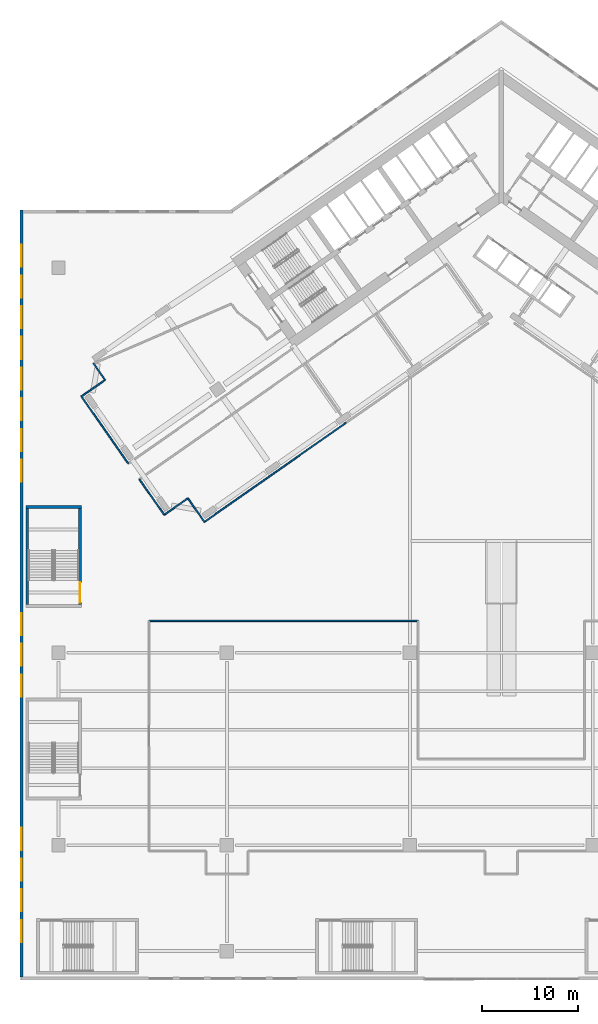
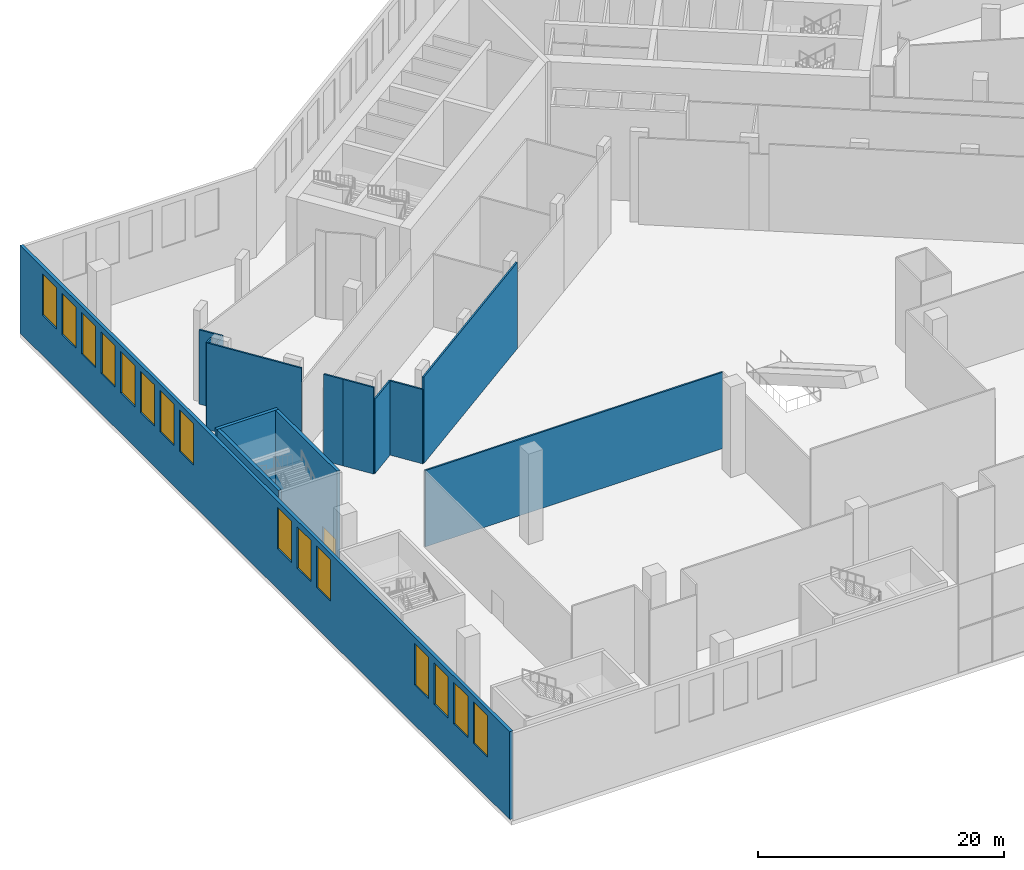
# One storey, part 6 of 27: 15 windows, 14 walls, 1 door, 16 openings.
"""IFC4 building model written with IfcOpenShell, lengths in metres."""

from ifc_helpers import new_model, si_unit, direction, frame, frame_2d, origin, place, context, subcontext, project, spatial, rectangle, extrude, material, layer, layer_set, type_object, element, fill, save


model = new_model("IFC4")

# Units and contexts
model_context = context("Model", 3, precision=1e-05, world=origin(), true_north=direction((0.0, 1.0)))
body_context = subcontext(model_context, "Body", "Model", "MODEL_VIEW")
ifc_project = project(units=[si_unit("LENGTHUNIT", "METRE"), si_unit("AREAUNIT", "SQUARE_METRE"), si_unit("VOLUMEUNIT", "CUBIC_METRE"), si_unit("PLANEANGLEUNIT", "RADIAN"), si_unit("MASSUNIT", "GRAM", prefix="KILO")], contexts=[model_context])

# Site, building, storey
site_placement = place(None, origin())
site = spatial("IfcSite", under=ifc_project, at=site_placement, CompositionType="ELEMENT")
building_placement = place(site_placement, origin())
building = spatial("IfcBuilding", under=site, at=building_placement, Name="Tel Ilan Convention Tower", CompositionType="ELEMENT")
storey_placement = place(building_placement, frame((0.0, 0.0, 9.0)))
storey = spatial("IfcBuildingStorey", under=building, at=storey_placement, Name="L01", CompositionType="ELEMENT", Elevation=9.0)

# Walls
ifc_material_1 = material(Name="Plasterboard on Steel Studs", Category="steel")
ifc_layer_1 = layer(ifc_material_1, 0.14990234375)
ifc_layer_set_1 = layer_set([ifc_layer_1], Name="Fire-rated Partition 150 EI 60")
wall_type_1 = type_object("IfcWallType", Name="Fire-rated Partition 150 EI 60", PredefinedType="PARTITIONING", material=ifc_layer_set_1)
wall_1_placement = place(storey_placement, frame((-8.65087890625, -44.698974609375, 0.0), z_axis=(0.0, 0.0, 1.0), x_axis=(-1.0, 0.0, 0.0)))
element("IfcWall", 1, at=wall_1_placement, inside=storey, type_object=wall_type_1, Name="Partition 029", PredefinedType="PARTITIONING", context=body_context, shape_type="SweptSolid", body=[
    extrude(rectangle(XDim=27.9482421875, YDim=0.14990234375, at=frame_2d((13.97412109375, 0.0))), origin(), (0.0, 0.0, 1.0), 7.580078125),
])
wall_2_placement = place(storey_placement, frame((-35.016845703125, -33.676025390625, 0.0), z_axis=(0.0, 0.0, 1.0), x_axis=(0.81917072002, 0.573549763719, 0.0)))
element("IfcWall", 2, at=wall_2_placement, inside=storey, type_object=wall_type_1, Name="Partition 036", PredefinedType="PARTITIONING", context=body_context, shape_type="SweptSolid", body=[
    extrude(rectangle(XDim=2.998779296875, YDim=0.14990234375, at=frame_2d((1.49951171875, 0.0))), origin(), (0.0, 0.0, 1.0), 7.3798828125),
])
wall_3_placement = place(storey_placement, frame((-32.560302734375, -31.9560546875, 0.0), z_axis=(0.0, 0.0, 1.0), x_axis=(0.573604390867, -0.819132469615, 0.0)))
element("IfcWall", 3, at=wall_3_placement, inside=storey, type_object=wall_type_1, Name="Partition 037", PredefinedType="PARTITIONING", context=body_context, shape_type="SweptSolid", body=[
    extrude(rectangle(XDim=2.9990234375, YDim=0.14990234375, at=frame_2d((1.49951171875, 0.0))), origin(), (0.0, 0.0, 1.0), 7.3798828125),
])
wall_4_placement = place(storey_placement, frame((-30.838623046875, -34.412841796875, 0.0), z_axis=(0.0, 0.0, 1.0), x_axis=(0.819149083218, 0.573580665175, 0.0)))
element("IfcWall", 4, at=wall_4_placement, inside=storey, type_object=wall_type_1, Name="Partition 038", PredefinedType="PARTITIONING", context=body_context, shape_type="SweptSolid", body=[
    extrude(rectangle(XDim=18.001708984375, YDim=0.14990234375, at=frame_2d((9.0009765625, 0.0))), origin(), (0.0, 0.0, 1.0), 8.60009765625),
])
wall_5_placement = place(storey_placement, frame((-36.59912109375, -31.41845703125, 0.0), z_axis=(0.0, 0.0, 1.0), x_axis=(0.57362881286, -0.819115367367, 0.0)))
element("IfcWall", 5, at=wall_5_placement, inside=storey, type_object=wall_type_1, Name="Partition 039", PredefinedType="PARTITIONING", context=body_context, shape_type="SweptSolid", body=[
    extrude(rectangle(XDim=2.755859375, YDim=0.14990234375, at=frame_2d((1.3779296875, 0.0))), origin(), (0.0, 0.0, 1.0), 8.60009765625),
])
wall_6_placement = place(storey_placement, frame((-42.359375, -17.96142578125, 0.0), z_axis=(0.0, 0.0, 1.0), x_axis=(0.573603984281, -0.819132754331, 0.0)))
element("IfcWall", 6, at=wall_6_placement, inside=storey, type_object=wall_type_1, Name="Partition 043", PredefinedType="PARTITIONING", context=body_context, shape_type="SweptSolid", body=[
    extrude(rectangle(XDim=2.082275390625, YDim=0.14990234375, at=frame_2d((1.041015625, 0.0))), origin(), (0.0, 0.0, 1.0), 7.3798828125),
])
wall_7_placement = place(storey_placement, frame((-41.1650390625, -19.6669921875, 0.0), z_axis=(0.0, 0.0, 1.0), x_axis=(-0.819149945048, -0.573579434366, 0.0)))
element("IfcWall", 7, at=wall_7_placement, inside=storey, type_object=wall_type_1, Name="Partition 044", PredefinedType="PARTITIONING", context=body_context, shape_type="SweptSolid", body=[
    extrude(rectangle(XDim=2.23876953125, YDim=0.14990234375, at=frame_2d((1.119384765625, 0.0))), origin(), (0.0, 0.0, 1.0), 7.3798828125),
])
wall_8_placement = place(storey_placement, frame((-43.621826171875, -21.38720703125, 0.0), z_axis=(0.0, 0.0, 1.0), x_axis=(0.573487395822, -0.819214383928, 0.0)))
element("IfcWall", 8, at=wall_8_placement, inside=storey, type_object=wall_type_1, Name="Partition 059", PredefinedType="PARTITIONING", context=body_context, shape_type="SweptSolid", body=[
    extrude(rectangle(XDim=8.502685546875, YDim=0.14990234375, at=frame_2d((4.25146484375, 0.0))), origin(), (0.0, 0.0, 1.0), 8.60009765625),
])
wall_9_placement = place(storey_placement, frame((-43.0, -20.951904296875, 0.0), z_axis=(0.0, 0.0, 1.0), x_axis=(-0.819216809636, -0.573483930734, 0.0)))
element("IfcWall", 9, at=wall_9_placement, inside=storey, type_object=wall_type_1, Name="Partition 060", PredefinedType="PARTITIONING", context=body_context, shape_type="SweptSolid", body=[
    extrude(rectangle(XDim=0.759033203125, YDim=0.14990234375, at=frame_2d((0.37939453125, 0.0))), origin(), (0.0, 0.0, 1.0), 8.60009765625),
])
wall_10_placement = place(storey_placement, frame((-37.600341796875, -29.98828125, 0.0), z_axis=(0.0, 0.0, 1.0), x_axis=(0.573518712821, -0.819192459709, 0.0)))
element("IfcWall", 10, at=wall_10_placement, inside=storey, type_object=wall_type_1, Name="Partition 061", PredefinedType="PARTITIONING", context=body_context, shape_type="SweptSolid", body=[
    extrude(rectangle(XDim=1.744140625, YDim=0.14990234375, at=frame_2d((0.8720703125, 0.0))), origin(), (0.0, 0.0, 1.0), 8.60009765625),
])

# Wall, openings, windows
ifc_material_2 = material(Name="Bronze aluminium cladding panel on insulated steel frame", Category="steel")
ifc_layer_2 = layer(ifc_material_2, 0.300048828125)
ifc_layer_set_2 = layer_set([ifc_layer_2], Name="PODIUM CLADDING WALL 300")
wall_type_2 = type_object("IfcWallType", Name="PODIUM CLADDING WALL 300", PredefinedType="SOLIDWALL", material=ifc_layer_set_2)
wall_11_placement = place(storey_placement, frame((-49.85009765625, -81.699951171875, 0.0), z_axis=(0.0, 0.0, 1.0), x_axis=(0.0, 1.0, 0.0)))
wall_11 = element("IfcWall", 11, at=wall_11_placement, inside=storey, type_object=wall_type_2, Name="Podium cladding wall", PredefinedType="SOLIDWALL", context=body_context, shape_type="SweptSolid", body=[
    extrude(rectangle(XDim=79.699951171875, YDim=0.300048828125, at=frame_2d((39.85009765625, 0.0))), origin(), (0.0, 0.0, 1.0), 8.719970703125),
])
opening_1_placement = place(wall_11_placement, frame((3.637939453125, 0.0, 4.0)))
opening_1 = element("IfcOpeningElement", 12, at=opening_1_placement, cuts=wall_11, Name="Opening W-04.011", PredefinedType="OPENING", context=body_context, shape_type="SweptSolid", body=[
    extrude(rectangle(XDim=2.2880859375, YDim=4.1201171875, at=frame_2d((1.14404296875, 2.06005859375))), frame((0.0, 0.159912109375, 0.0), z_axis=(0.0, -1.0, 0.0), x_axis=(1.0, 0.0, 0.0)), (0.0, 0.0, 1.0), 0.320068359375),
])
opening_2_placement = place(wall_11_placement, frame((6.825927734375, 0.0, 4.0)))
opening_2 = element("IfcOpeningElement", 13, at=opening_2_placement, cuts=wall_11, Name="Opening W-04.012", PredefinedType="OPENING", context=body_context, shape_type="SweptSolid", body=[
    extrude(rectangle(XDim=2.2880859375, YDim=4.1201171875, at=frame_2d((1.14404296875, 2.06005859375))), frame((0.0, 0.159912109375, 0.0), z_axis=(0.0, -1.0, 0.0), x_axis=(1.0, 0.0, 0.0)), (0.0, 0.0, 1.0), 0.320068359375),
])
opening_3_placement = place(wall_11_placement, frame((10.013916015625, 0.0, 4.0)))
opening_3 = element("IfcOpeningElement", 14, at=opening_3_placement, cuts=wall_11, Name="Opening W-04.013", PredefinedType="OPENING", context=body_context, shape_type="SweptSolid", body=[
    extrude(rectangle(XDim=2.2880859375, YDim=4.1201171875, at=frame_2d((1.14404296875, 2.06005859375))), frame((0.0, 0.159912109375, 0.0), z_axis=(0.0, -1.0, 0.0), x_axis=(1.0, 0.0, 0.0)), (0.0, 0.0, 1.0), 0.320068359375),
])
opening_4_placement = place(wall_11_placement, frame((13.201904296875, 0.0, 4.0)))
opening_4 = element("IfcOpeningElement", 15, at=opening_4_placement, cuts=wall_11, Name="Opening W-04.014", PredefinedType="OPENING", context=body_context, shape_type="SweptSolid", body=[
    extrude(rectangle(XDim=2.2880859375, YDim=4.1201171875, at=frame_2d((1.14404296875, 2.06005859375))), frame((0.0, 0.159912109375, 0.0), z_axis=(0.0, -1.0, 0.0), x_axis=(1.0, 0.0, 0.0)), (0.0, 0.0, 1.0), 0.320068359375),
])
opening_5_placement = place(wall_11_placement, frame((29.14208984375, 0.0, 4.0)))
opening_5 = element("IfcOpeningElement", 16, at=opening_5_placement, cuts=wall_11, Name="Opening W-04.015", PredefinedType="OPENING", context=body_context, shape_type="SweptSolid", body=[
    extrude(rectangle(XDim=2.2880859375, YDim=4.1201171875, at=frame_2d((1.14404296875, 2.06005859375))), frame((0.0, 0.159912109375, 0.0), z_axis=(0.0, -1.0, 0.0), x_axis=(1.0, 0.0, 0.0)), (0.0, 0.0, 1.0), 0.320068359375),
])
opening_6_placement = place(wall_11_placement, frame((32.330078125, 0.0, 4.0)))
opening_6 = element("IfcOpeningElement", 17, at=opening_6_placement, cuts=wall_11, Name="Opening W-04.016", PredefinedType="OPENING", context=body_context, shape_type="SweptSolid", body=[
    extrude(rectangle(XDim=2.2880859375, YDim=4.1201171875, at=frame_2d((1.14404296875, 2.06005859375))), frame((0.0, 0.159912109375, 0.0), z_axis=(0.0, -1.0, 0.0), x_axis=(1.0, 0.0, 0.0)), (0.0, 0.0, 1.0), 0.320068359375),
])
opening_7_placement = place(wall_11_placement, frame((35.51806640625, 0.0, 4.0)))
opening_7 = element("IfcOpeningElement", 18, at=opening_7_placement, cuts=wall_11, Name="Opening W-04.017", PredefinedType="OPENING", context=body_context, shape_type="SweptSolid", body=[
    extrude(rectangle(XDim=2.2880859375, YDim=4.1201171875, at=frame_2d((1.14404296875, 2.06005859375))), frame((0.0, 0.159912109375, 0.0), z_axis=(0.0, -1.0, 0.0), x_axis=(1.0, 0.0, 0.0)), (0.0, 0.0, 1.0), 0.320068359375),
])
opening_8_placement = place(wall_11_placement, frame((51.4580078125, 0.0, 4.0)))
opening_8 = element("IfcOpeningElement", 19, at=opening_8_placement, cuts=wall_11, Name="Opening W-04.018", PredefinedType="OPENING", context=body_context, shape_type="SweptSolid", body=[
    extrude(rectangle(XDim=2.2880859375, YDim=4.1201171875, at=frame_2d((1.14404296875, 2.06005859375))), frame((0.0, 0.159912109375, 0.0), z_axis=(0.0, -1.0, 0.0), x_axis=(1.0, 0.0, 0.0)), (0.0, 0.0, 1.0), 0.320068359375),
])
opening_9_placement = place(wall_11_placement, frame((54.64599609375, 0.0, 4.0)))
opening_9 = element("IfcOpeningElement", 20, at=opening_9_placement, cuts=wall_11, Name="Opening W-04.019", PredefinedType="OPENING", context=body_context, shape_type="SweptSolid", body=[
    extrude(rectangle(XDim=2.2880859375, YDim=4.1201171875, at=frame_2d((1.14404296875, 2.06005859375))), frame((0.0, 0.159912109375, 0.0), z_axis=(0.0, -1.0, 0.0), x_axis=(1.0, 0.0, 0.0)), (0.0, 0.0, 1.0), 0.320068359375),
])
opening_10_placement = place(wall_11_placement, frame((57.833984375, 0.0, 4.0)))
opening_10 = element("IfcOpeningElement", 21, at=opening_10_placement, cuts=wall_11, Name="Opening W-04.020", PredefinedType="OPENING", context=body_context, shape_type="SweptSolid", body=[
    extrude(rectangle(XDim=2.2880859375, YDim=4.1201171875, at=frame_2d((1.14404296875, 2.06005859375))), frame((0.0, 0.159912109375, 0.0), z_axis=(0.0, -1.0, 0.0), x_axis=(1.0, 0.0, 0.0)), (0.0, 0.0, 1.0), 0.320068359375),
])
opening_11_placement = place(wall_11_placement, frame((61.02197265625, 0.0, 4.0)))
opening_11 = element("IfcOpeningElement", 22, at=opening_11_placement, cuts=wall_11, Name="Opening W-04.021", PredefinedType="OPENING", context=body_context, shape_type="SweptSolid", body=[
    extrude(rectangle(XDim=2.2880859375, YDim=4.1201171875, at=frame_2d((1.14404296875, 2.06005859375))), frame((0.0, 0.159912109375, 0.0), z_axis=(0.0, -1.0, 0.0), x_axis=(1.0, 0.0, 0.0)), (0.0, 0.0, 1.0), 0.320068359375),
])
opening_12_placement = place(wall_11_placement, frame((64.2099609375, 0.0, 4.0)))
opening_12 = element("IfcOpeningElement", 23, at=opening_12_placement, cuts=wall_11, Name="Opening W-04.022", PredefinedType="OPENING", context=body_context, shape_type="SweptSolid", body=[
    extrude(rectangle(XDim=2.2880859375, YDim=4.1201171875, at=frame_2d((1.14404296875, 2.06005859375))), frame((0.0, 0.159912109375, 0.0), z_axis=(0.0, -1.0, 0.0), x_axis=(1.0, 0.0, 0.0)), (0.0, 0.0, 1.0), 0.320068359375),
])
opening_13_placement = place(wall_11_placement, frame((67.39794921875, 0.0, 4.0)))
opening_13 = element("IfcOpeningElement", 24, at=opening_13_placement, cuts=wall_11, Name="Opening W-04.023", PredefinedType="OPENING", context=body_context, shape_type="SweptSolid", body=[
    extrude(rectangle(XDim=2.2880859375, YDim=4.1201171875, at=frame_2d((1.14404296875, 2.06005859375))), frame((0.0, 0.159912109375, 0.0), z_axis=(0.0, -1.0, 0.0), x_axis=(1.0, 0.0, 0.0)), (0.0, 0.0, 1.0), 0.320068359375),
])
opening_14_placement = place(wall_11_placement, frame((70.5859375, 0.0, 4.0)))
opening_14 = element("IfcOpeningElement", 25, at=opening_14_placement, cuts=wall_11, Name="Opening W-04.024", PredefinedType="OPENING", context=body_context, shape_type="SweptSolid", body=[
    extrude(rectangle(XDim=2.2880859375, YDim=4.1201171875, at=frame_2d((1.14404296875, 2.06005859375))), frame((0.0, 0.159912109375, 0.0), z_axis=(0.0, -1.0, 0.0), x_axis=(1.0, 0.0, 0.0)), (0.0, 0.0, 1.0), 0.320068359375),
])
opening_15_placement = place(wall_11_placement, frame((73.77392578125, 0.0, 4.0)))
opening_15 = element("IfcOpeningElement", 26, at=opening_15_placement, cuts=wall_11, Name="Opening W-04.025", PredefinedType="OPENING", context=body_context, shape_type="SweptSolid", body=[
    extrude(rectangle(XDim=2.2880859375, YDim=4.1201171875, at=frame_2d((1.14404296875, 2.06005859375))), frame((0.0, 0.159912109375, 0.0), z_axis=(0.0, -1.0, 0.0), x_axis=(1.0, 0.0, 0.0)), (0.0, 0.0, 1.0), 0.320068359375),
])
ifc_material_3 = material(Name="Aluminium framed glazing, bronze anodised, tinted glass", Category="aluminium")
window_type = type_object("IfcWindowType", Name="PODIUM WINDOW 2288x4120", PartitioningType="SINGLE_PANEL", PredefinedType="WINDOW", material=ifc_material_3)
window_1_placement = place(opening_1_placement, origin())
window_1 = element("IfcWindow", 27, at=window_1_placement, inside=storey, type_object=window_type, Name="Podium window", OverallHeight=4.1201171875, OverallWidth=2.2880859375, PartitioningType="SINGLE_PANEL", PredefinedType="WINDOW", context=body_context, shape_type="SweptSolid", body=[
    extrude(rectangle(XDim=2.2880859375, YDim=4.1201171875, at=frame_2d((1.14404296875, 2.06005859375))), frame((0.0, 0.030029296875, 0.0), z_axis=(0.0, -1.0, 0.0), x_axis=(1.0, 0.0, 0.0)), (0.0, 0.0, 1.0), 0.06005859375),
])
fill(opening_1, window_1)
window_2_placement = place(opening_2_placement, origin())
window_2 = element("IfcWindow", 28, at=window_2_placement, inside=storey, type_object=window_type, Name="Podium window", OverallHeight=4.1201171875, OverallWidth=2.2880859375, PartitioningType="SINGLE_PANEL", PredefinedType="WINDOW", context=body_context, shape_type="SweptSolid", body=[
    extrude(rectangle(XDim=2.2880859375, YDim=4.1201171875, at=frame_2d((1.14404296875, 2.06005859375))), frame((0.0, 0.030029296875, 0.0), z_axis=(0.0, -1.0, 0.0), x_axis=(1.0, 0.0, 0.0)), (0.0, 0.0, 1.0), 0.06005859375),
])
fill(opening_2, window_2)
window_3_placement = place(opening_3_placement, origin())
window_3 = element("IfcWindow", 29, at=window_3_placement, inside=storey, type_object=window_type, Name="Podium window", OverallHeight=4.1201171875, OverallWidth=2.2880859375, PartitioningType="SINGLE_PANEL", PredefinedType="WINDOW", context=body_context, shape_type="SweptSolid", body=[
    extrude(rectangle(XDim=2.2880859375, YDim=4.1201171875, at=frame_2d((1.14404296875, 2.06005859375))), frame((0.0, 0.030029296875, 0.0), z_axis=(0.0, -1.0, 0.0), x_axis=(1.0, 0.0, 0.0)), (0.0, 0.0, 1.0), 0.06005859375),
])
fill(opening_3, window_3)
window_4_placement = place(opening_4_placement, origin())
window_4 = element("IfcWindow", 30, at=window_4_placement, inside=storey, type_object=window_type, Name="Podium window", OverallHeight=4.1201171875, OverallWidth=2.2880859375, PartitioningType="SINGLE_PANEL", PredefinedType="WINDOW", context=body_context, shape_type="SweptSolid", body=[
    extrude(rectangle(XDim=2.2880859375, YDim=4.1201171875, at=frame_2d((1.14404296875, 2.06005859375))), frame((0.0, 0.030029296875, 0.0), z_axis=(0.0, -1.0, 0.0), x_axis=(1.0, 0.0, 0.0)), (0.0, 0.0, 1.0), 0.06005859375),
])
fill(opening_4, window_4)
window_5_placement = place(opening_5_placement, origin())
window_5 = element("IfcWindow", 31, at=window_5_placement, inside=storey, type_object=window_type, Name="Podium window", OverallHeight=4.1201171875, OverallWidth=2.2880859375, PartitioningType="SINGLE_PANEL", PredefinedType="WINDOW", context=body_context, shape_type="SweptSolid", body=[
    extrude(rectangle(XDim=2.2880859375, YDim=4.1201171875, at=frame_2d((1.14404296875, 2.06005859375))), frame((0.0, 0.030029296875, 0.0), z_axis=(0.0, -1.0, 0.0), x_axis=(1.0, 0.0, 0.0)), (0.0, 0.0, 1.0), 0.06005859375),
])
fill(opening_5, window_5)
window_6_placement = place(opening_6_placement, origin())
window_6 = element("IfcWindow", 32, at=window_6_placement, inside=storey, type_object=window_type, Name="Podium window", OverallHeight=4.1201171875, OverallWidth=2.2880859375, PartitioningType="SINGLE_PANEL", PredefinedType="WINDOW", context=body_context, shape_type="SweptSolid", body=[
    extrude(rectangle(XDim=2.2880859375, YDim=4.1201171875, at=frame_2d((1.14404296875, 2.06005859375))), frame((0.0, 0.030029296875, 0.0), z_axis=(0.0, -1.0, 0.0), x_axis=(1.0, 0.0, 0.0)), (0.0, 0.0, 1.0), 0.06005859375),
])
fill(opening_6, window_6)
window_7_placement = place(opening_7_placement, origin())
window_7 = element("IfcWindow", 33, at=window_7_placement, inside=storey, type_object=window_type, Name="Podium window", OverallHeight=4.1201171875, OverallWidth=2.2880859375, PartitioningType="SINGLE_PANEL", PredefinedType="WINDOW", context=body_context, shape_type="SweptSolid", body=[
    extrude(rectangle(XDim=2.2880859375, YDim=4.1201171875, at=frame_2d((1.14404296875, 2.06005859375))), frame((0.0, 0.030029296875, 0.0), z_axis=(0.0, -1.0, 0.0), x_axis=(1.0, 0.0, 0.0)), (0.0, 0.0, 1.0), 0.06005859375),
])
fill(opening_7, window_7)
window_8_placement = place(opening_8_placement, origin())
window_8 = element("IfcWindow", 34, at=window_8_placement, inside=storey, type_object=window_type, Name="Podium window", OverallHeight=4.1201171875, OverallWidth=2.2880859375, PartitioningType="SINGLE_PANEL", PredefinedType="WINDOW", context=body_context, shape_type="SweptSolid", body=[
    extrude(rectangle(XDim=2.2880859375, YDim=4.1201171875, at=frame_2d((1.14404296875, 2.06005859375))), frame((0.0, 0.030029296875, 0.0), z_axis=(0.0, -1.0, 0.0), x_axis=(1.0, 0.0, 0.0)), (0.0, 0.0, 1.0), 0.06005859375),
])
fill(opening_8, window_8)
window_9_placement = place(opening_9_placement, origin())
window_9 = element("IfcWindow", 35, at=window_9_placement, inside=storey, type_object=window_type, Name="Podium window", OverallHeight=4.1201171875, OverallWidth=2.2880859375, PartitioningType="SINGLE_PANEL", PredefinedType="WINDOW", context=body_context, shape_type="SweptSolid", body=[
    extrude(rectangle(XDim=2.2880859375, YDim=4.1201171875, at=frame_2d((1.14404296875, 2.06005859375))), frame((0.0, 0.030029296875, 0.0), z_axis=(0.0, -1.0, 0.0), x_axis=(1.0, 0.0, 0.0)), (0.0, 0.0, 1.0), 0.06005859375),
])
fill(opening_9, window_9)
window_10_placement = place(opening_10_placement, origin())
window_10 = element("IfcWindow", 36, at=window_10_placement, inside=storey, type_object=window_type, Name="Podium window", OverallHeight=4.1201171875, OverallWidth=2.2880859375, PartitioningType="SINGLE_PANEL", PredefinedType="WINDOW", context=body_context, shape_type="SweptSolid", body=[
    extrude(rectangle(XDim=2.2880859375, YDim=4.1201171875, at=frame_2d((1.14404296875, 2.06005859375))), frame((0.0, 0.030029296875, 0.0), z_axis=(0.0, -1.0, 0.0), x_axis=(1.0, 0.0, 0.0)), (0.0, 0.0, 1.0), 0.06005859375),
])
fill(opening_10, window_10)
window_11_placement = place(opening_11_placement, origin())
window_11 = element("IfcWindow", 37, at=window_11_placement, inside=storey, type_object=window_type, Name="Podium window", OverallHeight=4.1201171875, OverallWidth=2.2880859375, PartitioningType="SINGLE_PANEL", PredefinedType="WINDOW", context=body_context, shape_type="SweptSolid", body=[
    extrude(rectangle(XDim=2.2880859375, YDim=4.1201171875, at=frame_2d((1.14404296875, 2.06005859375))), frame((0.0, 0.030029296875, 0.0), z_axis=(0.0, -1.0, 0.0), x_axis=(1.0, 0.0, 0.0)), (0.0, 0.0, 1.0), 0.06005859375),
])
fill(opening_11, window_11)
window_12_placement = place(opening_12_placement, origin())
window_12 = element("IfcWindow", 38, at=window_12_placement, inside=storey, type_object=window_type, Name="Podium window", OverallHeight=4.1201171875, OverallWidth=2.2880859375, PartitioningType="SINGLE_PANEL", PredefinedType="WINDOW", context=body_context, shape_type="SweptSolid", body=[
    extrude(rectangle(XDim=2.2880859375, YDim=4.1201171875, at=frame_2d((1.14404296875, 2.06005859375))), frame((0.0, 0.030029296875, 0.0), z_axis=(0.0, -1.0, 0.0), x_axis=(1.0, 0.0, 0.0)), (0.0, 0.0, 1.0), 0.06005859375),
])
fill(opening_12, window_12)
window_13_placement = place(opening_13_placement, origin())
window_13 = element("IfcWindow", 39, at=window_13_placement, inside=storey, type_object=window_type, Name="Podium window", OverallHeight=4.1201171875, OverallWidth=2.2880859375, PartitioningType="SINGLE_PANEL", PredefinedType="WINDOW", context=body_context, shape_type="SweptSolid", body=[
    extrude(rectangle(XDim=2.2880859375, YDim=4.1201171875, at=frame_2d((1.14404296875, 2.06005859375))), frame((0.0, 0.030029296875, 0.0), z_axis=(0.0, -1.0, 0.0), x_axis=(1.0, 0.0, 0.0)), (0.0, 0.0, 1.0), 0.06005859375),
])
fill(opening_13, window_13)
window_14_placement = place(opening_14_placement, origin())
window_14 = element("IfcWindow", 40, at=window_14_placement, inside=storey, type_object=window_type, Name="Podium window", OverallHeight=4.1201171875, OverallWidth=2.2880859375, PartitioningType="SINGLE_PANEL", PredefinedType="WINDOW", context=body_context, shape_type="SweptSolid", body=[
    extrude(rectangle(XDim=2.2880859375, YDim=4.1201171875, at=frame_2d((1.14404296875, 2.06005859375))), frame((0.0, 0.030029296875, 0.0), z_axis=(0.0, -1.0, 0.0), x_axis=(1.0, 0.0, 0.0)), (0.0, 0.0, 1.0), 0.06005859375),
])
fill(opening_14, window_14)
window_15_placement = place(opening_15_placement, origin())
window_15 = element("IfcWindow", 41, at=window_15_placement, inside=storey, type_object=window_type, Name="Podium window", OverallHeight=4.1201171875, OverallWidth=2.2880859375, PartitioningType="SINGLE_PANEL", PredefinedType="WINDOW", context=body_context, shape_type="SweptSolid", body=[
    extrude(rectangle(XDim=2.2880859375, YDim=4.1201171875, at=frame_2d((1.14404296875, 2.06005859375))), frame((0.0, 0.030029296875, 0.0), z_axis=(0.0, -1.0, 0.0), x_axis=(1.0, 0.0, 0.0)), (0.0, 0.0, 1.0), 0.06005859375),
])
fill(opening_15, window_15)

# Walls
ifc_material_4 = material(Name="Concrete C40/50", Category="concrete")
ifc_layer_3 = layer(ifc_material_4, 0.300048828125)
ifc_layer_set_3 = layer_set([ifc_layer_3], Name="Stair Enclosure Wall 300 mm C40/50")
wall_type_3 = type_object("IfcWallType", Name="Stair Enclosure Wall 300 mm C40/50", PredefinedType="SOLIDWALL", material=ifc_layer_set_3)
wall_12_placement = place(storey_placement, frame((-49.39990234375, -32.85009765625, 0.0), z_axis=(0.0, 0.0, 1.0), x_axis=(1.0, 0.0, 0.0)))
element("IfcWall", 42, at=wall_12_placement, inside=storey, type_object=wall_type_3, Name="P7 stair enclosure wall N L01", PredefinedType="SOLIDWALL", context=body_context, shape_type="SweptSolid", body=[
    extrude(rectangle(XDim=5.7998046875, YDim=0.300048828125, at=frame_2d((2.89990234375, 0.0))), origin(), (0.0, 0.0, 1.0), 9.0),
])
wall_13_placement = place(storey_placement, frame((-49.25, -43.0, 0.0), z_axis=(0.0, 0.0, 1.0), x_axis=(0.0, 1.0, 0.0)))
element("IfcWall", 43, at=wall_13_placement, inside=storey, type_object=wall_type_3, Name="P7 stair enclosure wall W L01", PredefinedType="SOLIDWALL", context=body_context, shape_type="SweptSolid", body=[
    extrude(rectangle(XDim=10.0, YDim=0.300048828125, at=frame_2d((5.0, 0.0))), origin(), (0.0, 0.0, 1.0), 9.0),
])

# Wall, opening, door
wall_14_placement = place(storey_placement, frame((-43.75, -43.0, 0.0), z_axis=(0.0, 0.0, 1.0), x_axis=(0.0, 1.0, 0.0)))
wall_14 = element("IfcWall", 44, at=wall_14_placement, inside=storey, type_object=wall_type_3, Name="P7 stair enclosure wall E L01", PredefinedType="SOLIDWALL", context=body_context, shape_type="SweptSolid", body=[
    extrude(rectangle(XDim=10.0, YDim=0.300048828125, at=frame_2d((5.0, 0.0))), origin(), (0.0, 0.0, 1.0), 9.0),
])
opening_16_placement = place(wall_14_placement, frame((0.21240234375, 0.0, 0.0)))
opening_16 = element("IfcOpeningElement", 45, at=opening_16_placement, cuts=wall_14, Name="Opening PD704", PredefinedType="OPENING", context=body_context, shape_type="SweptSolid", body=[
    extrude(rectangle(XDim=2.10009765625, YDim=2.10009765625, at=frame_2d((1.050048828125, 1.050048828125))), frame((0.0, 0.159912109375, 0.0), z_axis=(0.0, -1.0, 0.0), x_axis=(1.0, 0.0, 0.0)), (0.0, 0.0, 1.0), 0.320068359375),
])
ifc_material_5 = material(Name="Galvanised Steel Door Leaf", Category="steel")
door_type = type_object("IfcDoorType", Name="Stair Fire Door 2100 x 2100 FD60S", OperationType="NOTDEFINED", PredefinedType="DOOR", material=ifc_material_5)
door_placement = place(opening_16_placement, origin())
door = element("IfcDoor", 46, at=door_placement, inside=storey, type_object=door_type, Name="Stair P7 floor door", OperationType="DOUBLE_DOOR_SINGLE_SWING", OverallHeight=2.10009765625, OverallWidth=2.10009765625, PredefinedType="DOOR", context=body_context, shape_type="SweptSolid", body=[
    extrude(rectangle(XDim=2.10009765625, YDim=2.10009765625, at=frame_2d((1.050048828125, 1.050048828125))), frame((0.0, 0.02490234375, 0.0), z_axis=(0.0, -1.0, 0.0), x_axis=(1.0, 0.0, 0.0)), (0.0, 0.0, 1.0), 0.050048828125),
])
fill(opening_16, door)

save(model, "model.ifc")
